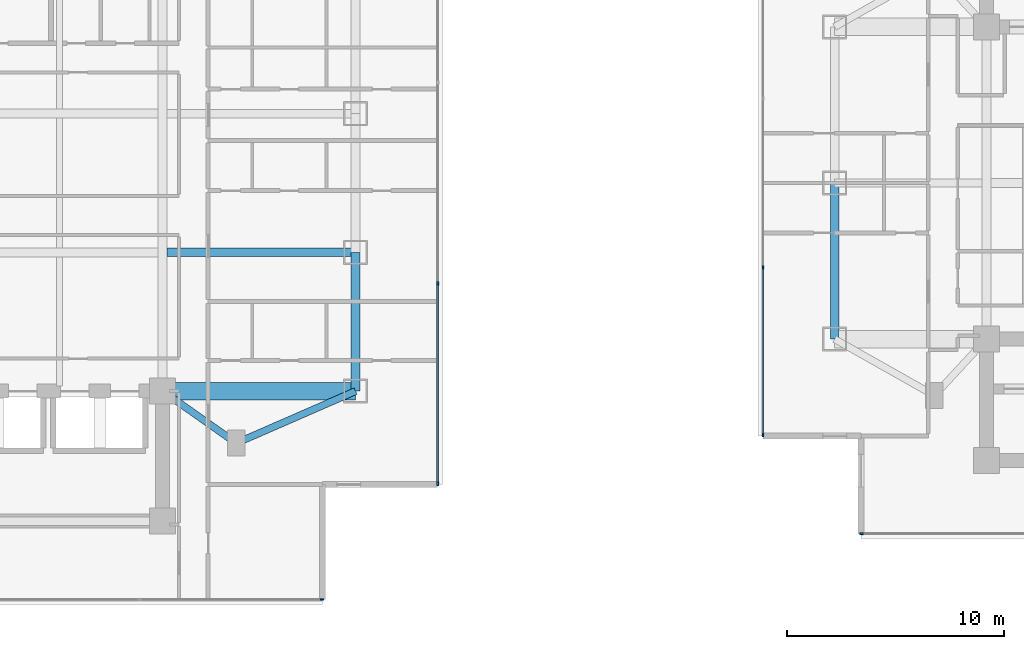
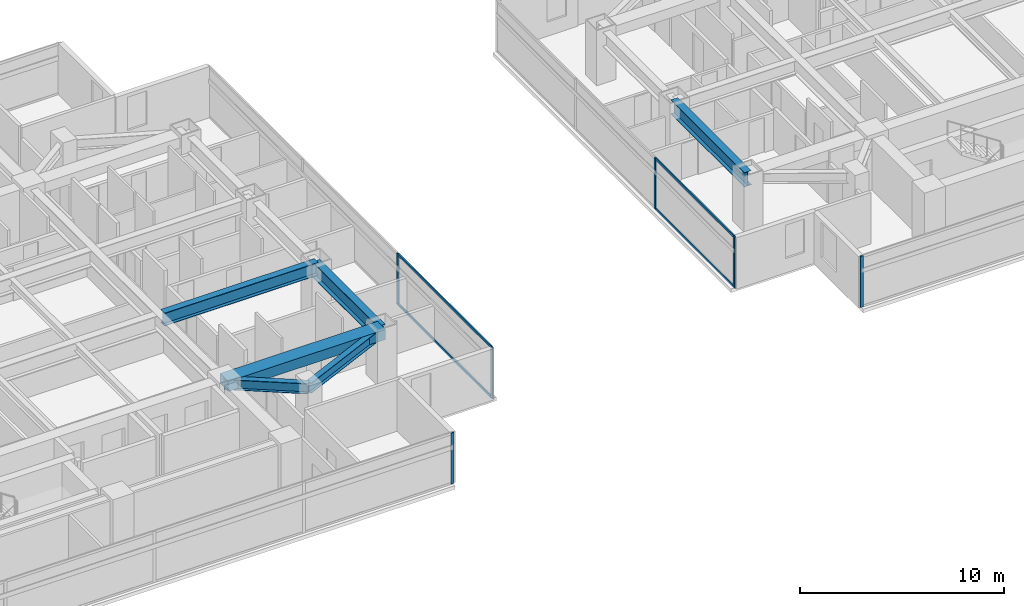
# One storey, part 5 of 25: 10 members, 6 beams, 4 elements without a shape of their own.
"""IFC4 building model written with IfcOpenShell, lengths in metres."""

from ifc_helpers import new_model, si_unit, direction, frame, origin, origin_2d, place, context, subcontext, project, spatial, rectangle, i_section, extrude, material, material_profile, profile_set, type_object, element, aggregate, save


model = new_model("IFC4")

# Units and contexts
model_context = context("Model", 3, precision=1e-05, world=origin(), true_north=direction((0.0, 1.0)))
body_context = subcontext(model_context, "Body", "Model", "MODEL_VIEW")
ifc_project = project(units=[si_unit("LENGTHUNIT", "METRE"), si_unit("AREAUNIT", "SQUARE_METRE"), si_unit("VOLUMEUNIT", "CUBIC_METRE"), si_unit("PLANEANGLEUNIT", "RADIAN"), si_unit("MASSUNIT", "GRAM", prefix="KILO")], contexts=[model_context])

# Site, building, storey
site_placement = place(None, origin())
site = spatial("IfcSite", under=ifc_project, at=site_placement, CompositionType="ELEMENT")
building_placement = place(site_placement, origin())
building = spatial("IfcBuilding", under=site, at=building_placement, Name="Mirazonda Arch Towers", CompositionType="ELEMENT")
storey_placement = place(building_placement, frame((0.0, 0.0, 111.5)))
storey = spatial("IfcBuildingStorey", under=building, at=storey_placement, Name="L31", CompositionType="ELEMENT", Elevation=111.5)

# Beams
ifc_material_1 = material(Name="Steel ASTM A992 Grade 50", Category="steel")
ifc_material_profile_1 = material_profile(ifc_material_1, i_section(OverallWidth=0.39990234375, OverallDepth=0.85595703125, WebThickness=0.018310546875, FlangeThickness=0.029296875, at=origin_2d()), Name="W33X201")
ifc_profile_set_1 = profile_set([ifc_material_profile_1], Name="Steel ASTM A992 Grade 50")
beam_type_1 = type_object("IfcBeamType", Name="BM-EXT-W33X201", PredefinedType="USERDEFINED", material=ifc_profile_set_1)
beam_1_placement = place(storey_placement, frame((61.0, 20.800048828125, 2.652099609375), z_axis=(0.0, 1.0, 0.0), x_axis=(-1.0, 0.0, 0.0)))
element("IfcBeam", 1, at=beam_1_placement, inside=storey, type_object=beam_type_1, Name="L31 Floor Beam BM-T2-L31-NS-W-20", ObjectType="GIRDER", PredefinedType="USERDEFINED", context=body_context, shape_type="SweptSolid", body=[
    extrude(i_section(OverallWidth=0.39990234375, OverallDepth=0.85595703125, WebThickness=0.018310546875, FlangeThickness=0.029296875, at=origin_2d()), origin(), (0.0, 0.0, 1.0), 7.199951171875),
])
ifc_material_profile_2 = material_profile(ifc_material_1, i_section(OverallWidth=0.41796875, OverallDepth=0.927001953125, WebThickness=0.019287109375, FlangeThickness=0.031982421875, at=origin_2d()), Name="W36X231")
ifc_profile_set_2 = profile_set([ifc_material_profile_2], Name="Steel ASTM A992 Grade 50")
beam_type_2 = type_object("IfcBeamType", Name="BM-EXT-W36X231", PredefinedType="USERDEFINED", material=ifc_profile_set_2)
beam_2_placement = place(storey_placement, frame((38.89990234375, 18.39990234375, 2.616455078125), z_axis=(0.0, 1.0, 0.0), x_axis=(-1.0, 0.0, 0.0)))
element("IfcBeam", 2, at=beam_2_placement, inside=storey, type_object=beam_type_2, Name="L31 Floor Beam BM-T1-L31-NS-E-18", ObjectType="GIRDER", PredefinedType="USERDEFINED", context=body_context, shape_type="SweptSolid", body=[
    extrude(i_section(OverallWidth=0.41796875, OverallDepth=0.927001953125, WebThickness=0.019287109375, FlangeThickness=0.031982421875, at=origin_2d()), origin(), (0.0, 0.0, 1.0), 6.400146484375),
])
ifc_material_profile_3 = material_profile(ifc_material_1, i_section(OverallWidth=0.324951171875, OverallDepth=0.615966796875, WebThickness=0.013916015625, FlangeThickness=0.021484375, at=origin_2d()), Name="W24X117")
ifc_profile_set_3 = profile_set([ifc_material_profile_3], Name="Steel ASTM A992 Grade 50")
beam_type_3 = type_object("IfcBeamType", Name="BM-INT-W24X117", PredefinedType="BEAM", material=ifc_profile_set_3)
beam_3_placement = place(storey_placement, frame((33.39990234375, 16.0, 2.77197265625), z_axis=(-0.816971114901, 0.576678591087, 0.0), x_axis=(-0.576678591087, -0.816971114901, 0.0)))
element("IfcBeam", 3, at=beam_3_placement, inside=storey, type_object=beam_type_3, Name="L31 Floor Beam BM-T1-L31-PL-SE1", PredefinedType="BEAM", context=body_context, shape_type="SweptSolid", body=[
    extrude(i_section(OverallWidth=0.324951171875, OverallDepth=0.615966796875, WebThickness=0.013916015625, FlangeThickness=0.021484375, at=origin_2d()), origin(), (0.0, 0.0, 1.0), 4.16162109375),
])
beam_4_placement = place(storey_placement, frame((33.39990234375, 16.0, 2.77197265625), z_axis=(0.916545343703, 0.399930785183, 0.0), x_axis=(-0.399930785183, 0.916545343703, 0.0)))
element("IfcBeam", 4, at=beam_4_placement, inside=storey, type_object=beam_type_3, Name="L31 Floor Beam BM-T1-L31-PL-SE2", PredefinedType="BEAM", context=body_context, shape_type="SweptSolid", body=[
    extrude(i_section(OverallWidth=0.324951171875, OverallDepth=0.615966796875, WebThickness=0.013916015625, FlangeThickness=0.021484375, at=origin_2d()), origin(), (0.0, 0.0, 1.0), 6.000732421875),
])
ifc_material_profile_4 = material_profile(ifc_material_1, i_section(OverallWidth=0.381103515625, OverallDepth=0.77294921875, WebThickness=0.0166015625, FlangeThickness=0.027099609375, at=origin_2d()), Name="W30X173")
ifc_profile_set_4 = profile_set([ifc_material_profile_4], Name="Steel ASTM A992 Grade 50")
beam_type_4 = type_object("IfcBeamType", Name="BM-INT-W30X173", PredefinedType="USERDEFINED", material=ifc_profile_set_4)
beam_5_placement = place(storey_placement, frame((30.21142578125, 24.800048828125, 2.693603515625), z_axis=(1.0, 0.0, 0.0), x_axis=(0.0, 1.0, 0.0)))
element("IfcBeam", 5, at=beam_5_placement, inside=storey, type_object=beam_type_4, Name="L31 Floor Beam BM-T1-L31-GE2", ObjectType="GIRDER", PredefinedType="USERDEFINED", context=body_context, shape_type="SweptSolid", body=[
    extrude(i_section(OverallWidth=0.381103515625, OverallDepth=0.77294921875, WebThickness=0.0166015625, FlangeThickness=0.027099609375, at=origin_2d()), origin(), (0.0, 0.0, 1.0), 8.6884765625),
])
ifc_material_2 = material(Name="Concrete C60/75", Category="concrete")
ifc_material_profile_5 = material_profile(ifc_material_2, rectangle(XDim=0.800048828125, YDim=0.60009765625, at=origin_2d()), Name="RCCB800x600")
ifc_profile_set_5 = profile_set([ifc_material_profile_5], Name="Concrete C60/75")
beam_type_5 = type_object("IfcBeamType", Name="CB-INT-RCCB800x600", PredefinedType="SPANDREL", material=ifc_profile_set_5)
beam_6_placement = place(storey_placement, frame((30.0, 18.39990234375, 2.780029296875), z_axis=(1.0, 0.0, 0.0), x_axis=(0.0, 1.0, 0.0)))
element("IfcBeam", 6, at=beam_6_placement, inside=storey, type_object=beam_type_5, Name="L31 Floor Beam CBC-T1-L31-SE", PredefinedType="SPANDREL", context=body_context, shape_type="SweptSolid", body=[
    extrude(rectangle(XDim=0.800048828125, YDim=0.60009765625, at=origin_2d()), origin(), (0.0, 0.0, 1.0), 8.89990234375),
])

# Curtain wall, member
ifc_material_3 = material(Name="Anodised Aluminium and Low-E Glass", Category="aluminium")
curtain_wall_type = type_object("IfcCurtainWallType", Name="CW-HTL-UNIT", PredefinedType="NOTDEFINED", material=ifc_material_3)
curtain_wall_1_placement = place(storey_placement, origin())
curtain_wall_1 = element("IfcCurtainWall", 7, at=curtain_wall_1_placement, inside=storey, type_object=curtain_wall_type, Name="L31 T1 S Facade CW-L31-T1-S", PredefinedType="NOTDEFINED")
ifc_material_4 = material(Name="Anodised Aluminium Alloy", Category="aluminium")
ifc_material_profile_6 = material_profile(ifc_material_4, rectangle(XDim=0.074951171875, YDim=0.1650390625, at=origin_2d()), Name="ALU-MULL-75x165")
ifc_profile_set_6 = profile_set([ifc_material_profile_6], Name="Anodised Aluminium Alloy")
member_type_1 = type_object("IfcMemberType", Name="MULL-CW-HTL-UNIT", PredefinedType="MULLION", material=ifc_profile_set_6)
member_1_placement = place(storey_placement, frame((37.347412109375, 8.783935546875, 0.0), z_axis=(0.0, 0.0, 1.0), x_axis=(0.0, -1.0, 0.0)))
member_1 = element("IfcMember", 8, at=member_1_placement, type_object=member_type_1, Name="CW-112 mullion 1", PredefinedType="MULLION", context=body_context, shape_type="SweptSolid", body=[
    extrude(rectangle(XDim=0.074951171875, YDim=0.1650390625, at=origin_2d()), origin(), (0.0, 0.0, 1.0), 3.06005859375),
])
aggregate(curtain_wall_1, [member_1])

# Curtain wall, members
curtain_wall_2_placement = place(storey_placement, origin())
curtain_wall_2 = element("IfcCurtainWall", 9, at=curtain_wall_2_placement, inside=storey, type_object=curtain_wall_type, Name="L31 T1 E Facade CW-L31-T1-E", PredefinedType="NOTDEFINED")
member_2_placement = place(storey_placement, frame((42.68994140625, 14.12646484375, 0.0), z_axis=(0.0, 0.0, 1.0), x_axis=(-1.0, 0.0, 0.0)))
member_2 = element("IfcMember", 10, at=member_2_placement, type_object=member_type_1, Name="CW-112 mullion 1", PredefinedType="MULLION", context=body_context, shape_type="SweptSolid", body=[
    extrude(rectangle(XDim=0.074951171875, YDim=0.1650390625, at=origin_2d()), origin(), (0.0, 0.0, 1.0), 3.06005859375),
])
member_3_placement = place(storey_placement, frame((42.68994140625, 23.363037109375, 0.0), z_axis=(0.0, 0.0, 1.0), x_axis=(-1.0, 0.0, 0.0)))
member_3 = element("IfcMember", 11, at=member_3_placement, type_object=member_type_1, Name="CW-112 mullion 2", PredefinedType="MULLION", context=body_context, shape_type="SweptSolid", body=[
    extrude(rectangle(XDim=0.074951171875, YDim=0.1650390625, at=origin_2d()), origin(), (0.0, 0.0, 1.0), 3.06005859375),
])

# Curtain wall, member
curtain_wall_3_placement = place(storey_placement, origin())
curtain_wall_3 = element("IfcCurtainWall", 12, at=curtain_wall_3_placement, inside=storey, type_object=curtain_wall_type, Name="L31 T2 S Facade CW-L31-T2-S", PredefinedType="NOTDEFINED")
member_4_placement = place(storey_placement, frame((62.245361328125, 11.8193359375, 0.0), z_axis=(0.0, 0.0, 1.0), x_axis=(0.0, -1.0, 0.0)))
member_4 = element("IfcMember", 13, at=member_4_placement, type_object=member_type_1, Name="CW-112 mullion 4", PredefinedType="MULLION", context=body_context, shape_type="SweptSolid", body=[
    extrude(rectangle(XDim=0.074951171875, YDim=0.1650390625, at=origin_2d()), origin(), (0.0, 0.0, 1.0), 3.06005859375),
])
aggregate(curtain_wall_3, [member_4])

# Curtain wall, members
curtain_wall_4_placement = place(storey_placement, origin())
curtain_wall_4 = element("IfcCurtainWall", 14, at=curtain_wall_4_placement, inside=storey, type_object=curtain_wall_type, Name="L31 T2 W Facade CW-L31-T2-W", PredefinedType="NOTDEFINED")
member_5_placement = place(storey_placement, frame((57.69140625, 24.11181640625, 0.0), z_axis=(0.0, 0.0, 1.0), x_axis=(1.0, 0.0, 0.0)))
member_5 = element("IfcMember", 15, at=member_5_placement, type_object=member_type_1, Name="CW-112 mullion 3", PredefinedType="MULLION", context=body_context, shape_type="SweptSolid", body=[
    extrude(rectangle(XDim=0.074951171875, YDim=0.1650390625, at=origin_2d()), origin(), (0.0, 0.0, 1.0), 3.06005859375),
])
member_6_placement = place(storey_placement, frame((57.69140625, 16.373291015625, 0.0), z_axis=(0.0, 0.0, 1.0), x_axis=(1.0, 0.0, 0.0)))
member_6 = element("IfcMember", 16, at=member_6_placement, type_object=member_type_1, Name="CW-112 mullion 4", PredefinedType="MULLION", context=body_context, shape_type="SweptSolid", body=[
    extrude(rectangle(XDim=0.074951171875, YDim=0.1650390625, at=origin_2d()), origin(), (0.0, 0.0, 1.0), 3.06005859375),
])

# Member
ifc_material_profile_7 = material_profile(ifc_material_4, rectangle(XDim=0.074951171875, YDim=0.14501953125, at=origin_2d()), Name="ALU-TRAN-75x145")
ifc_profile_set_7 = profile_set([ifc_material_profile_7], Name="Anodised Aluminium Alloy")
member_type_2 = type_object("IfcMemberType", Name="TRAN-CW-HTL-UNIT", PredefinedType="USERDEFINED", material=ifc_profile_set_7)
member_7_placement = place(storey_placement, frame((42.68994140625, 14.1640625, 0.03759765625), z_axis=(0.0, 1.0, 0.0), x_axis=(-1.0, 0.0, 0.0)))
member_7 = element("IfcMember", 17, at=member_7_placement, type_object=member_type_2, Name="CW-112 transom 1.1", ObjectType="TRANSOM", PredefinedType="USERDEFINED", context=body_context, shape_type="SweptSolid", body=[
    extrude(rectangle(XDim=0.074951171875, YDim=0.14501953125, at=origin_2d()), origin(), (0.0, 0.0, 1.0), 9.161376953125),
])

member_8_placement = place(storey_placement, frame((42.68994140625, 14.1640625, 3.0224609375), z_axis=(0.0, 1.0, 0.0), x_axis=(-1.0, 0.0, 0.0)))
member_8 = element("IfcMember", 18, at=member_8_placement, type_object=member_type_2, Name="CW-112 transom 1.2", ObjectType="TRANSOM", PredefinedType="USERDEFINED", context=body_context, shape_type="SweptSolid", body=[
    extrude(rectangle(XDim=0.074951171875, YDim=0.14501953125, at=origin_2d()), origin(), (0.0, 0.0, 1.0), 9.161376953125),
])

aggregate(curtain_wall_2, [member_2, member_3, member_7, member_8])

member_9_placement = place(storey_placement, frame((57.69140625, 24.074462890625, 0.03759765625), z_axis=(0.0, -1.0, 0.0), x_axis=(1.0, 0.0, 0.0)))
member_9 = element("IfcMember", 19, at=member_9_placement, type_object=member_type_2, Name="CW-112 transom 3.1", ObjectType="TRANSOM", PredefinedType="USERDEFINED", context=body_context, shape_type="SweptSolid", body=[
    extrude(rectangle(XDim=0.074951171875, YDim=0.14501953125, at=origin_2d()), origin(), (0.0, 0.0, 1.0), 7.663818359375),
])

member_10_placement = place(storey_placement, frame((57.69140625, 24.074462890625, 3.0224609375), z_axis=(0.0, -1.0, 0.0), x_axis=(1.0, 0.0, 0.0)))
member_10 = element("IfcMember", 20, at=member_10_placement, type_object=member_type_2, Name="CW-112 transom 3.2", ObjectType="TRANSOM", PredefinedType="USERDEFINED", context=body_context, shape_type="SweptSolid", body=[
    extrude(rectangle(XDim=0.074951171875, YDim=0.14501953125, at=origin_2d()), origin(), (0.0, 0.0, 1.0), 7.663818359375),
])

aggregate(curtain_wall_4, [member_5, member_6, member_9, member_10])

save(model, "model.ifc")
